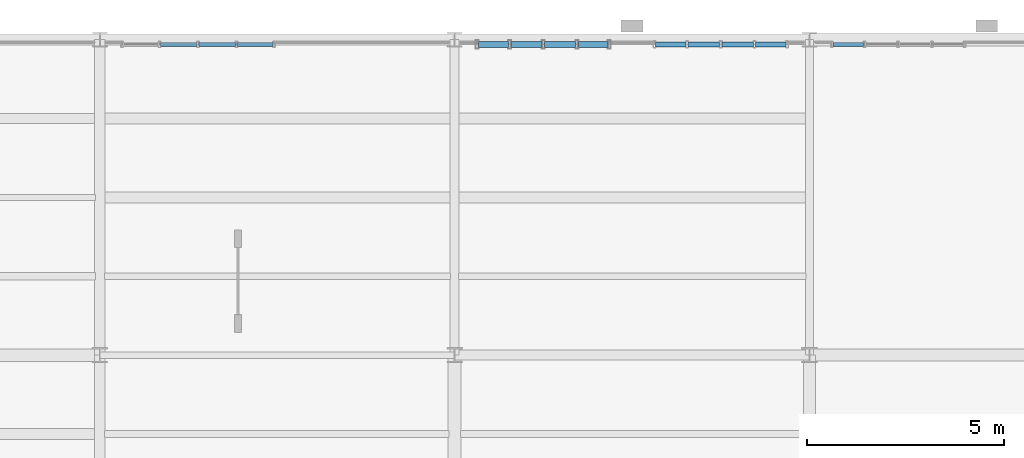
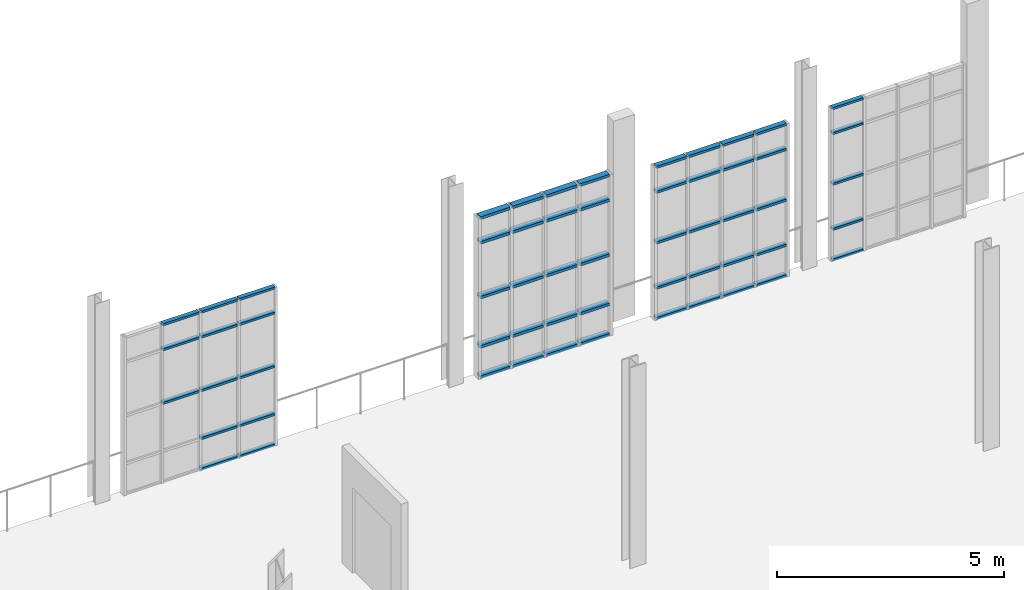
# One storey, part 97 of 142: 58 members, 4 elements without a shape of their own.
"""IFC4 building model written with IfcOpenShell, lengths in metres."""

from ifc_helpers import new_model, si_unit, direction, frame, origin, origin_2d, place, context, subcontext, project, spatial, hollow_rectangle, extrude, material, layer, layer_set, material_profile, profile_set, type_object, element, aggregate, save


model = new_model("IFC4")

# Units and contexts
model_context = context("Model", 3, precision=1e-05, world=origin(), true_north=direction((0.0, 1.0)))
body_context = subcontext(model_context, "Body", "Model", "MODEL_VIEW")
ifc_project = project(units=[si_unit("LENGTHUNIT", "METRE"), si_unit("AREAUNIT", "SQUARE_METRE"), si_unit("VOLUMEUNIT", "CUBIC_METRE"), si_unit("PLANEANGLEUNIT", "RADIAN"), si_unit("MASSUNIT", "GRAM", prefix="KILO"), si_unit("THERMODYNAMICTEMPERATUREUNIT", "KELVIN"), si_unit("POWERUNIT", "WATT")], contexts=[model_context])

# Site, building, storey
site_placement = place(None, origin())
site = spatial("IfcSite", under=ifc_project, at=site_placement, CompositionType="ELEMENT")
building_placement = place(site_placement, origin())
building = spatial("IfcBuilding", under=site, at=building_placement, Name="Zelmaris Science Centre", CompositionType="ELEMENT")
storey_placement = place(building_placement, frame((0.0, 0.0, 5.39990234375)))
storey = spatial("IfcBuildingStorey", under=building, at=storey_placement, Name="L01", CompositionType="ELEMENT", Elevation=5.39990234375)

# Curtain wall, members
ifc_material = material(Name="Anodised architectural aluminium 6063-T6", Category="aluminium")
ifc_layer_1 = layer(ifc_material, 0.219970703125, Name="Anodised architectural aluminium 6063-T6")
ifc_layer_set_1 = layer_set([ifc_layer_1], Name="Anodised architectural aluminium 6063-T6")
curtain_wall_type_1 = type_object("IfcCurtainWallType", Name="Curtain Wall CW-04", PredefinedType="USERDEFINED", material=ifc_layer_set_1)
curtain_wall_1_placement = place(storey_placement, origin())
curtain_wall_1 = element("IfcCurtainWall", 1, at=curtain_wall_1_placement, inside=storey, type_object=curtain_wall_type_1, Name="L01 Unitised curtain wall 136", ObjectType="GLAZED CURTAIN WALL", PredefinedType="USERDEFINED")
ifc_material_profile_1 = material_profile(ifc_material, hollow_rectangle(XDim=0.06005859375, YDim=0.110107421875, WallThickness=0.0029296875, at=origin_2d()), Name="ALU-TRN-60X110")
ifc_profile_set_1 = profile_set([ifc_material_profile_1], Name="Anodised architectural aluminium 6063-T6")
member_type_1 = type_object("IfcMemberType", Name="ALU-TRN-60X110", PredefinedType="USERDEFINED", material=ifc_profile_set_1)
member_1_placement = place(storey_placement, frame((82.541015625, 87.8798828125, 2.12451171875), z_axis=(1.0, 0.0, 0.0), x_axis=(0.0, 0.0, 1.0)))
member_1 = element("IfcMember", 2, at=member_1_placement, type_object=member_type_1, Name="CW-04 transom 2.3", ObjectType="TRANSOM", PredefinedType="USERDEFINED", context=body_context, shape_type="SweptSolid", body=[
    extrude(hollow_rectangle(XDim=0.06005859375, YDim=0.110107421875, WallThickness=0.0029296875, at=origin_2d()), origin(), (0.0, 0.0, 1.0), 0.923095703125),
])
member_2_placement = place(storey_placement, frame((82.541015625, 87.8798828125, 3.564208984375), z_axis=(1.0, 0.0, 0.0), x_axis=(0.0, 0.0, 1.0)))
member_2 = element("IfcMember", 3, at=member_2_placement, type_object=member_type_1, Name="CW-04 transom 2.4", ObjectType="TRANSOM", PredefinedType="USERDEFINED", context=body_context, shape_type="SweptSolid", body=[
    extrude(hollow_rectangle(XDim=0.06005859375, YDim=0.110107421875, WallThickness=0.0029296875, at=origin_2d()), origin(), (0.0, 0.0, 1.0), 0.923095703125),
])
member_3_placement = place(storey_placement, frame((82.541015625, 87.8798828125, 4.238037109375), z_axis=(1.0, 0.0, 0.0), x_axis=(0.0, 0.0, 1.0)))
member_3 = element("IfcMember", 4, at=member_3_placement, type_object=member_type_1, Name="CW-04 transom 2.5", ObjectType="TRANSOM", PredefinedType="USERDEFINED", context=body_context, shape_type="SweptSolid", body=[
    extrude(hollow_rectangle(XDim=0.06005859375, YDim=0.110107421875, WallThickness=0.0029296875, at=origin_2d()), origin(), (0.0, 0.0, 1.0), 0.923095703125),
])
member_4_placement = place(storey_placement, frame((83.51611328125, 87.8798828125, 0.010986328125), z_axis=(1.0, 0.0, 0.0), x_axis=(0.0, 0.0, 1.0)))
member_4 = element("IfcMember", 5, at=member_4_placement, type_object=member_type_1, Name="CW-04 transom 3.1", ObjectType="TRANSOM", PredefinedType="USERDEFINED", context=body_context, shape_type="SweptSolid", body=[
    extrude(hollow_rectangle(XDim=0.06005859375, YDim=0.110107421875, WallThickness=0.0029296875, at=origin_2d()), origin(), (0.0, 0.0, 1.0), 0.9228515625),
])
member_5_placement = place(storey_placement, frame((83.51611328125, 87.8798828125, 0.835205078125), z_axis=(1.0, 0.0, 0.0), x_axis=(0.0, 0.0, 1.0)))
member_5 = element("IfcMember", 6, at=member_5_placement, type_object=member_type_1, Name="CW-04 transom 3.2", ObjectType="TRANSOM", PredefinedType="USERDEFINED", context=body_context, shape_type="SweptSolid", body=[
    extrude(hollow_rectangle(XDim=0.06005859375, YDim=0.110107421875, WallThickness=0.0029296875, at=origin_2d()), origin(), (0.0, 0.0, 1.0), 0.9228515625),
])
member_6_placement = place(storey_placement, frame((83.51611328125, 87.8798828125, 2.12451171875), z_axis=(1.0, 0.0, 0.0), x_axis=(0.0, 0.0, 1.0)))
member_6 = element("IfcMember", 7, at=member_6_placement, type_object=member_type_1, Name="CW-04 transom 3.3", ObjectType="TRANSOM", PredefinedType="USERDEFINED", context=body_context, shape_type="SweptSolid", body=[
    extrude(hollow_rectangle(XDim=0.06005859375, YDim=0.110107421875, WallThickness=0.0029296875, at=origin_2d()), origin(), (0.0, 0.0, 1.0), 0.9228515625),
])
member_7_placement = place(storey_placement, frame((83.51611328125, 87.8798828125, 3.564208984375), z_axis=(1.0, 0.0, 0.0), x_axis=(0.0, 0.0, 1.0)))
member_7 = element("IfcMember", 8, at=member_7_placement, type_object=member_type_1, Name="CW-04 transom 3.4", ObjectType="TRANSOM", PredefinedType="USERDEFINED", context=body_context, shape_type="SweptSolid", body=[
    extrude(hollow_rectangle(XDim=0.06005859375, YDim=0.110107421875, WallThickness=0.0029296875, at=origin_2d()), origin(), (0.0, 0.0, 1.0), 0.9228515625),
])
member_8_placement = place(storey_placement, frame((83.51611328125, 87.8798828125, 4.238037109375), z_axis=(1.0, 0.0, 0.0), x_axis=(0.0, 0.0, 1.0)))
member_8 = element("IfcMember", 9, at=member_8_placement, type_object=member_type_1, Name="CW-04 transom 3.5", ObjectType="TRANSOM", PredefinedType="USERDEFINED", context=body_context, shape_type="SweptSolid", body=[
    extrude(hollow_rectangle(XDim=0.06005859375, YDim=0.110107421875, WallThickness=0.0029296875, at=origin_2d()), origin(), (0.0, 0.0, 1.0), 0.9228515625),
])
member_9_placement = place(storey_placement, frame((84.490966796875, 87.8798828125, 0.010986328125), z_axis=(1.0, 0.0, 0.0), x_axis=(0.0, 0.0, 1.0)))
member_9 = element("IfcMember", 10, at=member_9_placement, type_object=member_type_1, Name="CW-04 transom 4.1", ObjectType="TRANSOM", PredefinedType="USERDEFINED", context=body_context, shape_type="SweptSolid", body=[
    extrude(hollow_rectangle(XDim=0.06005859375, YDim=0.110107421875, WallThickness=0.0029296875, at=origin_2d()), origin(), (0.0, 0.0, 1.0), 0.89697265625),
])
member_10_placement = place(storey_placement, frame((84.490966796875, 87.8798828125, 0.835205078125), z_axis=(1.0, 0.0, 0.0), x_axis=(0.0, 0.0, 1.0)))
member_10 = element("IfcMember", 11, at=member_10_placement, type_object=member_type_1, Name="CW-04 transom 4.2", ObjectType="TRANSOM", PredefinedType="USERDEFINED", context=body_context, shape_type="SweptSolid", body=[
    extrude(hollow_rectangle(XDim=0.06005859375, YDim=0.110107421875, WallThickness=0.0029296875, at=origin_2d()), origin(), (0.0, 0.0, 1.0), 0.89697265625),
])
member_11_placement = place(storey_placement, frame((84.490966796875, 87.8798828125, 2.12451171875), z_axis=(1.0, 0.0, 0.0), x_axis=(0.0, 0.0, 1.0)))
member_11 = element("IfcMember", 12, at=member_11_placement, type_object=member_type_1, Name="CW-04 transom 4.3", ObjectType="TRANSOM", PredefinedType="USERDEFINED", context=body_context, shape_type="SweptSolid", body=[
    extrude(hollow_rectangle(XDim=0.06005859375, YDim=0.110107421875, WallThickness=0.0029296875, at=origin_2d()), origin(), (0.0, 0.0, 1.0), 0.89697265625),
])
member_12_placement = place(storey_placement, frame((84.490966796875, 87.8798828125, 3.564208984375), z_axis=(1.0, 0.0, 0.0), x_axis=(0.0, 0.0, 1.0)))
member_12 = element("IfcMember", 13, at=member_12_placement, type_object=member_type_1, Name="CW-04 transom 4.4", ObjectType="TRANSOM", PredefinedType="USERDEFINED", context=body_context, shape_type="SweptSolid", body=[
    extrude(hollow_rectangle(XDim=0.06005859375, YDim=0.110107421875, WallThickness=0.0029296875, at=origin_2d()), origin(), (0.0, 0.0, 1.0), 0.89697265625),
])
member_13_placement = place(storey_placement, frame((84.490966796875, 87.8798828125, 4.238037109375), z_axis=(1.0, 0.0, 0.0), x_axis=(0.0, 0.0, 1.0)))
member_13 = element("IfcMember", 14, at=member_13_placement, type_object=member_type_1, Name="CW-04 transom 4.5", ObjectType="TRANSOM", PredefinedType="USERDEFINED", context=body_context, shape_type="SweptSolid", body=[
    extrude(hollow_rectangle(XDim=0.06005859375, YDim=0.110107421875, WallThickness=0.0029296875, at=origin_2d()), origin(), (0.0, 0.0, 1.0), 0.89697265625),
])
aggregate(curtain_wall_1, [member_1, member_2, member_3, member_4, member_5, member_6, member_7, member_8, member_9, member_10, member_11, member_12, member_13])

curtain_wall_2_placement = place(storey_placement, origin())
curtain_wall_2 = element("IfcCurtainWall", 15, at=curtain_wall_2_placement, inside=storey, type_object=curtain_wall_type_1, Name="L01 Unitised curtain wall 140", ObjectType="GLAZED CURTAIN WALL", PredefinedType="USERDEFINED")
member_14_placement = place(storey_placement, frame((99.592041015625, 87.8798828125, 0.010986328125), z_axis=(1.0, 0.0, 0.0), x_axis=(0.0, 0.0, 1.0)))
member_14 = element("IfcMember", 16, at=member_14_placement, type_object=member_type_1, Name="CW-04 transom 1.1", ObjectType="TRANSOM", PredefinedType="USERDEFINED", context=body_context, shape_type="SweptSolid", body=[
    extrude(hollow_rectangle(XDim=0.06005859375, YDim=0.110107421875, WallThickness=0.0029296875, at=origin_2d()), origin(), (0.0, 0.0, 1.0), 0.77685546875),
])
member_15_placement = place(storey_placement, frame((99.592041015625, 87.8798828125, 0.835205078125), z_axis=(1.0, 0.0, 0.0), x_axis=(0.0, 0.0, 1.0)))
member_15 = element("IfcMember", 17, at=member_15_placement, type_object=member_type_1, Name="CW-04 transom 1.2", ObjectType="TRANSOM", PredefinedType="USERDEFINED", context=body_context, shape_type="SweptSolid", body=[
    extrude(hollow_rectangle(XDim=0.06005859375, YDim=0.110107421875, WallThickness=0.0029296875, at=origin_2d()), origin(), (0.0, 0.0, 1.0), 0.77685546875),
])
member_16_placement = place(storey_placement, frame((99.592041015625, 87.8798828125, 2.049560546875), z_axis=(1.0, 0.0, 0.0), x_axis=(0.0, 0.0, 1.0)))
member_16 = element("IfcMember", 18, at=member_16_placement, type_object=member_type_1, Name="CW-04 transom 1.3", ObjectType="TRANSOM", PredefinedType="USERDEFINED", context=body_context, shape_type="SweptSolid", body=[
    extrude(hollow_rectangle(XDim=0.06005859375, YDim=0.110107421875, WallThickness=0.0029296875, at=origin_2d()), origin(), (0.0, 0.0, 1.0), 0.77685546875),
])
member_17_placement = place(storey_placement, frame((99.592041015625, 87.8798828125, 3.4140625), z_axis=(1.0, 0.0, 0.0), x_axis=(0.0, 0.0, 1.0)))
member_17 = element("IfcMember", 19, at=member_17_placement, type_object=member_type_1, Name="CW-04 transom 1.4", ObjectType="TRANSOM", PredefinedType="USERDEFINED", context=body_context, shape_type="SweptSolid", body=[
    extrude(hollow_rectangle(XDim=0.06005859375, YDim=0.110107421875, WallThickness=0.0029296875, at=origin_2d()), origin(), (0.0, 0.0, 1.0), 0.77685546875),
])
member_18_placement = place(storey_placement, frame((99.592041015625, 87.8798828125, 4.088134765625), z_axis=(1.0, 0.0, 0.0), x_axis=(0.0, 0.0, 1.0)))
member_18 = element("IfcMember", 20, at=member_18_placement, type_object=member_type_1, Name="CW-04 transom 1.5", ObjectType="TRANSOM", PredefinedType="USERDEFINED", context=body_context, shape_type="SweptSolid", body=[
    extrude(hollow_rectangle(XDim=0.06005859375, YDim=0.110107421875, WallThickness=0.0029296875, at=origin_2d()), origin(), (0.0, 0.0, 1.0), 0.77685546875),
])
aggregate(curtain_wall_2, [member_14, member_15, member_16, member_17, member_18])

ifc_layer_2 = layer(ifc_material, 0.2099609375, Name="Anodised architectural aluminium 6063-T6")
ifc_layer_set_2 = layer_set([ifc_layer_2], Name="Anodised architectural aluminium 6063-T6")
curtain_wall_type_2 = type_object("IfcCurtainWallType", Name="Curtain Wall CW-03", PredefinedType="USERDEFINED", material=ifc_layer_set_2)
curtain_wall_3_placement = place(storey_placement, origin())
curtain_wall_3 = element("IfcCurtainWall", 21, at=curtain_wall_3_placement, inside=storey, type_object=curtain_wall_type_2, Name="L01 Unitised curtain wall 139", ObjectType="GLAZED CURTAIN WALL", PredefinedType="USERDEFINED")
ifc_material_profile_2 = material_profile(ifc_material, hollow_rectangle(XDim=0.06494140625, YDim=0.1298828125, WallThickness=0.00341796875, at=origin_2d()), Name="ALU-TRN-65X130")
ifc_profile_set_2 = profile_set([ifc_material_profile_2], Name="Anodised architectural aluminium 6063-T6")
member_type_2 = type_object("IfcMemberType", Name="ALU-TRN-65X130", PredefinedType="USERDEFINED", material=ifc_profile_set_2)
member_19_placement = place(storey_placement, frame((95.096923828125, 87.8798828125, 0.013671875), z_axis=(1.0, 0.0, 0.0), x_axis=(0.0, 0.0, 1.0)))
member_19 = element("IfcMember", 22, at=member_19_placement, type_object=member_type_2, Name="CW-03 transom 1.1", ObjectType="TRANSOM", PredefinedType="USERDEFINED", context=body_context, shape_type="SweptSolid", body=[
    extrude(hollow_rectangle(XDim=0.06494140625, YDim=0.1298828125, WallThickness=0.00341796875, at=origin_2d()), origin(), (0.0, 0.0, 1.0), 0.76953125),
])
member_20_placement = place(storey_placement, frame((95.096923828125, 87.8798828125, 0.835205078125), z_axis=(1.0, 0.0, 0.0), x_axis=(0.0, 0.0, 1.0)))
member_20 = element("IfcMember", 23, at=member_20_placement, type_object=member_type_2, Name="CW-03 transom 1.2", ObjectType="TRANSOM", PredefinedType="USERDEFINED", context=body_context, shape_type="SweptSolid", body=[
    extrude(hollow_rectangle(XDim=0.06494140625, YDim=0.1298828125, WallThickness=0.00341796875, at=origin_2d()), origin(), (0.0, 0.0, 1.0), 0.76953125),
])
member_21_placement = place(storey_placement, frame((95.096923828125, 87.8798828125, 2.049560546875), z_axis=(1.0, 0.0, 0.0), x_axis=(0.0, 0.0, 1.0)))
member_21 = element("IfcMember", 24, at=member_21_placement, type_object=member_type_2, Name="CW-03 transom 1.3", ObjectType="TRANSOM", PredefinedType="USERDEFINED", context=body_context, shape_type="SweptSolid", body=[
    extrude(hollow_rectangle(XDim=0.06494140625, YDim=0.1298828125, WallThickness=0.00341796875, at=origin_2d()), origin(), (0.0, 0.0, 1.0), 0.76953125),
])
member_22_placement = place(storey_placement, frame((95.096923828125, 87.8798828125, 3.4140625), z_axis=(1.0, 0.0, 0.0), x_axis=(0.0, 0.0, 1.0)))
member_22 = element("IfcMember", 25, at=member_22_placement, type_object=member_type_2, Name="CW-03 transom 1.4", ObjectType="TRANSOM", PredefinedType="USERDEFINED", context=body_context, shape_type="SweptSolid", body=[
    extrude(hollow_rectangle(XDim=0.06494140625, YDim=0.1298828125, WallThickness=0.00341796875, at=origin_2d()), origin(), (0.0, 0.0, 1.0), 0.76953125),
])
member_23_placement = place(storey_placement, frame((95.096923828125, 87.8798828125, 4.085693359375), z_axis=(1.0, 0.0, 0.0), x_axis=(0.0, 0.0, 1.0)))
member_23 = element("IfcMember", 26, at=member_23_placement, type_object=member_type_2, Name="CW-03 transom 1.5", ObjectType="TRANSOM", PredefinedType="USERDEFINED", context=body_context, shape_type="SweptSolid", body=[
    extrude(hollow_rectangle(XDim=0.06494140625, YDim=0.1298828125, WallThickness=0.00341796875, at=origin_2d()), origin(), (0.0, 0.0, 1.0), 0.76953125),
])
member_24_placement = place(storey_placement, frame((95.923583984375, 87.8798828125, 0.013671875), z_axis=(1.0, 0.0, 0.0), x_axis=(0.0, 0.0, 1.0)))
member_24 = element("IfcMember", 27, at=member_24_placement, type_object=member_type_2, Name="CW-03 transom 2.1", ObjectType="TRANSOM", PredefinedType="USERDEFINED", context=body_context, shape_type="SweptSolid", body=[
    extrude(hollow_rectangle(XDim=0.06494140625, YDim=0.1298828125, WallThickness=0.00341796875, at=origin_2d()), origin(), (0.0, 0.0, 1.0), 0.7978515625),
])
member_25_placement = place(storey_placement, frame((95.923583984375, 87.8798828125, 0.835205078125), z_axis=(1.0, 0.0, 0.0), x_axis=(0.0, 0.0, 1.0)))
member_25 = element("IfcMember", 28, at=member_25_placement, type_object=member_type_2, Name="CW-03 transom 2.2", ObjectType="TRANSOM", PredefinedType="USERDEFINED", context=body_context, shape_type="SweptSolid", body=[
    extrude(hollow_rectangle(XDim=0.06494140625, YDim=0.1298828125, WallThickness=0.00341796875, at=origin_2d()), origin(), (0.0, 0.0, 1.0), 0.7978515625),
])
member_26_placement = place(storey_placement, frame((95.923583984375, 87.8798828125, 2.049560546875), z_axis=(1.0, 0.0, 0.0), x_axis=(0.0, 0.0, 1.0)))
member_26 = element("IfcMember", 29, at=member_26_placement, type_object=member_type_2, Name="CW-03 transom 2.3", ObjectType="TRANSOM", PredefinedType="USERDEFINED", context=body_context, shape_type="SweptSolid", body=[
    extrude(hollow_rectangle(XDim=0.06494140625, YDim=0.1298828125, WallThickness=0.00341796875, at=origin_2d()), origin(), (0.0, 0.0, 1.0), 0.7978515625),
])
member_27_placement = place(storey_placement, frame((95.923583984375, 87.8798828125, 3.4140625), z_axis=(1.0, 0.0, 0.0), x_axis=(0.0, 0.0, 1.0)))
member_27 = element("IfcMember", 30, at=member_27_placement, type_object=member_type_2, Name="CW-03 transom 2.4", ObjectType="TRANSOM", PredefinedType="USERDEFINED", context=body_context, shape_type="SweptSolid", body=[
    extrude(hollow_rectangle(XDim=0.06494140625, YDim=0.1298828125, WallThickness=0.00341796875, at=origin_2d()), origin(), (0.0, 0.0, 1.0), 0.7978515625),
])
member_28_placement = place(storey_placement, frame((95.923583984375, 87.8798828125, 4.085693359375), z_axis=(1.0, 0.0, 0.0), x_axis=(0.0, 0.0, 1.0)))
member_28 = element("IfcMember", 31, at=member_28_placement, type_object=member_type_2, Name="CW-03 transom 2.5", ObjectType="TRANSOM", PredefinedType="USERDEFINED", context=body_context, shape_type="SweptSolid", body=[
    extrude(hollow_rectangle(XDim=0.06494140625, YDim=0.1298828125, WallThickness=0.00341796875, at=origin_2d()), origin(), (0.0, 0.0, 1.0), 0.7978515625),
])
member_29_placement = place(storey_placement, frame((96.778564453125, 87.8798828125, 0.013671875), z_axis=(1.0, 0.0, 0.0), x_axis=(0.0, 0.0, 1.0)))
member_29 = element("IfcMember", 32, at=member_29_placement, type_object=member_type_2, Name="CW-03 transom 3.1", ObjectType="TRANSOM", PredefinedType="USERDEFINED", context=body_context, shape_type="SweptSolid", body=[
    extrude(hollow_rectangle(XDim=0.06494140625, YDim=0.1298828125, WallThickness=0.00341796875, at=origin_2d()), origin(), (0.0, 0.0, 1.0), 0.7978515625),
])
member_30_placement = place(storey_placement, frame((96.778564453125, 87.8798828125, 0.835205078125), z_axis=(1.0, 0.0, 0.0), x_axis=(0.0, 0.0, 1.0)))
member_30 = element("IfcMember", 33, at=member_30_placement, type_object=member_type_2, Name="CW-03 transom 3.2", ObjectType="TRANSOM", PredefinedType="USERDEFINED", context=body_context, shape_type="SweptSolid", body=[
    extrude(hollow_rectangle(XDim=0.06494140625, YDim=0.1298828125, WallThickness=0.00341796875, at=origin_2d()), origin(), (0.0, 0.0, 1.0), 0.7978515625),
])
member_31_placement = place(storey_placement, frame((96.778564453125, 87.8798828125, 2.049560546875), z_axis=(1.0, 0.0, 0.0), x_axis=(0.0, 0.0, 1.0)))
member_31 = element("IfcMember", 34, at=member_31_placement, type_object=member_type_2, Name="CW-03 transom 3.3", ObjectType="TRANSOM", PredefinedType="USERDEFINED", context=body_context, shape_type="SweptSolid", body=[
    extrude(hollow_rectangle(XDim=0.06494140625, YDim=0.1298828125, WallThickness=0.00341796875, at=origin_2d()), origin(), (0.0, 0.0, 1.0), 0.7978515625),
])
member_32_placement = place(storey_placement, frame((96.778564453125, 87.8798828125, 3.4140625), z_axis=(1.0, 0.0, 0.0), x_axis=(0.0, 0.0, 1.0)))
member_32 = element("IfcMember", 35, at=member_32_placement, type_object=member_type_2, Name="CW-03 transom 3.4", ObjectType="TRANSOM", PredefinedType="USERDEFINED", context=body_context, shape_type="SweptSolid", body=[
    extrude(hollow_rectangle(XDim=0.06494140625, YDim=0.1298828125, WallThickness=0.00341796875, at=origin_2d()), origin(), (0.0, 0.0, 1.0), 0.7978515625),
])
member_33_placement = place(storey_placement, frame((96.778564453125, 87.8798828125, 4.085693359375), z_axis=(1.0, 0.0, 0.0), x_axis=(0.0, 0.0, 1.0)))
member_33 = element("IfcMember", 36, at=member_33_placement, type_object=member_type_2, Name="CW-03 transom 3.5", ObjectType="TRANSOM", PredefinedType="USERDEFINED", context=body_context, shape_type="SweptSolid", body=[
    extrude(hollow_rectangle(XDim=0.06494140625, YDim=0.1298828125, WallThickness=0.00341796875, at=origin_2d()), origin(), (0.0, 0.0, 1.0), 0.7978515625),
])
member_34_placement = place(storey_placement, frame((97.633544921875, 87.8798828125, 0.013671875), z_axis=(1.0, 0.0, 0.0), x_axis=(0.0, 0.0, 1.0)))
member_34 = element("IfcMember", 37, at=member_34_placement, type_object=member_type_2, Name="CW-03 transom 4.1", ObjectType="TRANSOM", PredefinedType="USERDEFINED", context=body_context, shape_type="SweptSolid", body=[
    extrude(hollow_rectangle(XDim=0.06494140625, YDim=0.1298828125, WallThickness=0.00341796875, at=origin_2d()), origin(), (0.0, 0.0, 1.0), 0.76953125),
])
member_35_placement = place(storey_placement, frame((97.633544921875, 87.8798828125, 0.835205078125), z_axis=(1.0, 0.0, 0.0), x_axis=(0.0, 0.0, 1.0)))
member_35 = element("IfcMember", 38, at=member_35_placement, type_object=member_type_2, Name="CW-03 transom 4.2", ObjectType="TRANSOM", PredefinedType="USERDEFINED", context=body_context, shape_type="SweptSolid", body=[
    extrude(hollow_rectangle(XDim=0.06494140625, YDim=0.1298828125, WallThickness=0.00341796875, at=origin_2d()), origin(), (0.0, 0.0, 1.0), 0.76953125),
])
member_36_placement = place(storey_placement, frame((97.633544921875, 87.8798828125, 2.049560546875), z_axis=(1.0, 0.0, 0.0), x_axis=(0.0, 0.0, 1.0)))
member_36 = element("IfcMember", 39, at=member_36_placement, type_object=member_type_2, Name="CW-03 transom 4.3", ObjectType="TRANSOM", PredefinedType="USERDEFINED", context=body_context, shape_type="SweptSolid", body=[
    extrude(hollow_rectangle(XDim=0.06494140625, YDim=0.1298828125, WallThickness=0.00341796875, at=origin_2d()), origin(), (0.0, 0.0, 1.0), 0.76953125),
])
member_37_placement = place(storey_placement, frame((97.633544921875, 87.8798828125, 3.4140625), z_axis=(1.0, 0.0, 0.0), x_axis=(0.0, 0.0, 1.0)))
member_37 = element("IfcMember", 40, at=member_37_placement, type_object=member_type_2, Name="CW-03 transom 4.4", ObjectType="TRANSOM", PredefinedType="USERDEFINED", context=body_context, shape_type="SweptSolid", body=[
    extrude(hollow_rectangle(XDim=0.06494140625, YDim=0.1298828125, WallThickness=0.00341796875, at=origin_2d()), origin(), (0.0, 0.0, 1.0), 0.76953125),
])
member_38_placement = place(storey_placement, frame((97.633544921875, 87.8798828125, 4.085693359375), z_axis=(1.0, 0.0, 0.0), x_axis=(0.0, 0.0, 1.0)))
member_38 = element("IfcMember", 41, at=member_38_placement, type_object=member_type_2, Name="CW-03 transom 4.5", ObjectType="TRANSOM", PredefinedType="USERDEFINED", context=body_context, shape_type="SweptSolid", body=[
    extrude(hollow_rectangle(XDim=0.06494140625, YDim=0.1298828125, WallThickness=0.00341796875, at=origin_2d()), origin(), (0.0, 0.0, 1.0), 0.76953125),
])
aggregate(curtain_wall_3, [member_19, member_20, member_21, member_22, member_23, member_24, member_25, member_26, member_27, member_28, member_29, member_30, member_31, member_32, member_33, member_34, member_35, member_36, member_37, member_38])

ifc_layer_3 = layer(ifc_material, 0.199951171875, Name="Anodised architectural aluminium 6063-T6")
ifc_layer_set_3 = layer_set([ifc_layer_3], Name="Anodised architectural aluminium 6063-T6")
curtain_wall_type_3 = type_object("IfcCurtainWallType", Name="Curtain Wall CW-02", PredefinedType="USERDEFINED", material=ifc_layer_set_3)
curtain_wall_4_placement = place(storey_placement, origin())
curtain_wall_4 = element("IfcCurtainWall", 42, at=curtain_wall_4_placement, inside=storey, type_object=curtain_wall_type_3, Name="L01 Unitised curtain wall 138", ObjectType="GLAZED CURTAIN WALL", PredefinedType="USERDEFINED")
ifc_material_profile_3 = material_profile(ifc_material, hollow_rectangle(XDim=0.074951171875, YDim=0.159912109375, WallThickness=0.00390625, at=origin_2d()), Name="ALU-TRN-75X160")
ifc_profile_set_3 = profile_set([ifc_material_profile_3], Name="Anodised architectural aluminium 6063-T6")
member_type_3 = type_object("IfcMemberType", Name="ALU-TRN-75X160", PredefinedType="USERDEFINED", material=ifc_profile_set_3)
member_39_placement = place(storey_placement, frame((90.60693359375, 87.8798828125, 0.0185546875), z_axis=(1.0, 0.0, 0.0), x_axis=(0.0, 0.0, 1.0)))
member_39 = element("IfcMember", 43, at=member_39_placement, type_object=member_type_3, Name="CW-02 transom 1.1", ObjectType="TRANSOM", PredefinedType="USERDEFINED", context=body_context, shape_type="SweptSolid", body=[
    extrude(hollow_rectangle(XDim=0.074951171875, YDim=0.159912109375, WallThickness=0.00390625, at=origin_2d()), origin(), (0.0, 0.0, 1.0), 0.754638671875),
])
member_40_placement = place(storey_placement, frame((90.60693359375, 87.8798828125, 0.835205078125), z_axis=(1.0, 0.0, 0.0), x_axis=(0.0, 0.0, 1.0)))
member_40 = element("IfcMember", 44, at=member_40_placement, type_object=member_type_3, Name="CW-02 transom 1.2", ObjectType="TRANSOM", PredefinedType="USERDEFINED", context=body_context, shape_type="SweptSolid", body=[
    extrude(hollow_rectangle(XDim=0.074951171875, YDim=0.159912109375, WallThickness=0.00390625, at=origin_2d()), origin(), (0.0, 0.0, 1.0), 0.754638671875),
])
member_41_placement = place(storey_placement, frame((90.60693359375, 87.8798828125, 2.16015625), z_axis=(1.0, 0.0, 0.0), x_axis=(0.0, 0.0, 1.0)))
member_41 = element("IfcMember", 45, at=member_41_placement, type_object=member_type_3, Name="CW-02 transom 1.3", ObjectType="TRANSOM", PredefinedType="USERDEFINED", context=body_context, shape_type="SweptSolid", body=[
    extrude(hollow_rectangle(XDim=0.074951171875, YDim=0.159912109375, WallThickness=0.00390625, at=origin_2d()), origin(), (0.0, 0.0, 1.0), 0.754638671875),
])
member_42_placement = place(storey_placement, frame((90.60693359375, 87.8798828125, 3.635009765625), z_axis=(1.0, 0.0, 0.0), x_axis=(0.0, 0.0, 1.0)))
member_42 = element("IfcMember", 46, at=member_42_placement, type_object=member_type_3, Name="CW-02 transom 1.4", ObjectType="TRANSOM", PredefinedType="USERDEFINED", context=body_context, shape_type="SweptSolid", body=[
    extrude(hollow_rectangle(XDim=0.074951171875, YDim=0.159912109375, WallThickness=0.00390625, at=origin_2d()), origin(), (0.0, 0.0, 1.0), 0.754638671875),
])
member_43_placement = place(storey_placement, frame((90.60693359375, 87.8798828125, 4.301513671875), z_axis=(1.0, 0.0, 0.0), x_axis=(0.0, 0.0, 1.0)))
member_43 = element("IfcMember", 47, at=member_43_placement, type_object=member_type_3, Name="CW-02 transom 1.5", ObjectType="TRANSOM", PredefinedType="USERDEFINED", context=body_context, shape_type="SweptSolid", body=[
    extrude(hollow_rectangle(XDim=0.074951171875, YDim=0.159912109375, WallThickness=0.00390625, at=origin_2d()), origin(), (0.0, 0.0, 1.0), 0.754638671875),
])
member_44_placement = place(storey_placement, frame((91.428466796875, 87.8798828125, 0.0185546875), z_axis=(1.0, 0.0, 0.0), x_axis=(0.0, 0.0, 1.0)))
member_44 = element("IfcMember", 48, at=member_44_placement, type_object=member_type_3, Name="CW-02 transom 2.1", ObjectType="TRANSOM", PredefinedType="USERDEFINED", context=body_context, shape_type="SweptSolid", body=[
    extrude(hollow_rectangle(XDim=0.074951171875, YDim=0.159912109375, WallThickness=0.00390625, at=origin_2d()), origin(), (0.0, 0.0, 1.0), 0.7880859375),
])
member_45_placement = place(storey_placement, frame((91.428466796875, 87.8798828125, 0.835205078125), z_axis=(1.0, 0.0, 0.0), x_axis=(0.0, 0.0, 1.0)))
member_45 = element("IfcMember", 49, at=member_45_placement, type_object=member_type_3, Name="CW-02 transom 2.2", ObjectType="TRANSOM", PredefinedType="USERDEFINED", context=body_context, shape_type="SweptSolid", body=[
    extrude(hollow_rectangle(XDim=0.074951171875, YDim=0.159912109375, WallThickness=0.00390625, at=origin_2d()), origin(), (0.0, 0.0, 1.0), 0.7880859375),
])
member_46_placement = place(storey_placement, frame((91.428466796875, 87.8798828125, 2.16015625), z_axis=(1.0, 0.0, 0.0), x_axis=(0.0, 0.0, 1.0)))
member_46 = element("IfcMember", 50, at=member_46_placement, type_object=member_type_3, Name="CW-02 transom 2.3", ObjectType="TRANSOM", PredefinedType="USERDEFINED", context=body_context, shape_type="SweptSolid", body=[
    extrude(hollow_rectangle(XDim=0.074951171875, YDim=0.159912109375, WallThickness=0.00390625, at=origin_2d()), origin(), (0.0, 0.0, 1.0), 0.7880859375),
])
member_47_placement = place(storey_placement, frame((91.428466796875, 87.8798828125, 3.635009765625), z_axis=(1.0, 0.0, 0.0), x_axis=(0.0, 0.0, 1.0)))
member_47 = element("IfcMember", 51, at=member_47_placement, type_object=member_type_3, Name="CW-02 transom 2.4", ObjectType="TRANSOM", PredefinedType="USERDEFINED", context=body_context, shape_type="SweptSolid", body=[
    extrude(hollow_rectangle(XDim=0.074951171875, YDim=0.159912109375, WallThickness=0.00390625, at=origin_2d()), origin(), (0.0, 0.0, 1.0), 0.7880859375),
])
member_48_placement = place(storey_placement, frame((91.428466796875, 87.8798828125, 4.301513671875), z_axis=(1.0, 0.0, 0.0), x_axis=(0.0, 0.0, 1.0)))
member_48 = element("IfcMember", 52, at=member_48_placement, type_object=member_type_3, Name="CW-02 transom 2.5", ObjectType="TRANSOM", PredefinedType="USERDEFINED", context=body_context, shape_type="SweptSolid", body=[
    extrude(hollow_rectangle(XDim=0.074951171875, YDim=0.159912109375, WallThickness=0.00390625, at=origin_2d()), origin(), (0.0, 0.0, 1.0), 0.7880859375),
])
member_49_placement = place(storey_placement, frame((92.283447265625, 87.8798828125, 0.0185546875), z_axis=(1.0, 0.0, 0.0), x_axis=(0.0, 0.0, 1.0)))
member_49 = element("IfcMember", 53, at=member_49_placement, type_object=member_type_3, Name="CW-02 transom 3.1", ObjectType="TRANSOM", PredefinedType="USERDEFINED", context=body_context, shape_type="SweptSolid", body=[
    extrude(hollow_rectangle(XDim=0.074951171875, YDim=0.159912109375, WallThickness=0.00390625, at=origin_2d()), origin(), (0.0, 0.0, 1.0), 0.7880859375),
])
member_50_placement = place(storey_placement, frame((92.283447265625, 87.8798828125, 0.835205078125), z_axis=(1.0, 0.0, 0.0), x_axis=(0.0, 0.0, 1.0)))
member_50 = element("IfcMember", 54, at=member_50_placement, type_object=member_type_3, Name="CW-02 transom 3.2", ObjectType="TRANSOM", PredefinedType="USERDEFINED", context=body_context, shape_type="SweptSolid", body=[
    extrude(hollow_rectangle(XDim=0.074951171875, YDim=0.159912109375, WallThickness=0.00390625, at=origin_2d()), origin(), (0.0, 0.0, 1.0), 0.7880859375),
])
member_51_placement = place(storey_placement, frame((92.283447265625, 87.8798828125, 2.16015625), z_axis=(1.0, 0.0, 0.0), x_axis=(0.0, 0.0, 1.0)))
member_51 = element("IfcMember", 55, at=member_51_placement, type_object=member_type_3, Name="CW-02 transom 3.3", ObjectType="TRANSOM", PredefinedType="USERDEFINED", context=body_context, shape_type="SweptSolid", body=[
    extrude(hollow_rectangle(XDim=0.074951171875, YDim=0.159912109375, WallThickness=0.00390625, at=origin_2d()), origin(), (0.0, 0.0, 1.0), 0.7880859375),
])
member_52_placement = place(storey_placement, frame((92.283447265625, 87.8798828125, 3.635009765625), z_axis=(1.0, 0.0, 0.0), x_axis=(0.0, 0.0, 1.0)))
member_52 = element("IfcMember", 56, at=member_52_placement, type_object=member_type_3, Name="CW-02 transom 3.4", ObjectType="TRANSOM", PredefinedType="USERDEFINED", context=body_context, shape_type="SweptSolid", body=[
    extrude(hollow_rectangle(XDim=0.074951171875, YDim=0.159912109375, WallThickness=0.00390625, at=origin_2d()), origin(), (0.0, 0.0, 1.0), 0.7880859375),
])
member_53_placement = place(storey_placement, frame((92.283447265625, 87.8798828125, 4.301513671875), z_axis=(1.0, 0.0, 0.0), x_axis=(0.0, 0.0, 1.0)))
member_53 = element("IfcMember", 57, at=member_53_placement, type_object=member_type_3, Name="CW-02 transom 3.5", ObjectType="TRANSOM", PredefinedType="USERDEFINED", context=body_context, shape_type="SweptSolid", body=[
    extrude(hollow_rectangle(XDim=0.074951171875, YDim=0.159912109375, WallThickness=0.00390625, at=origin_2d()), origin(), (0.0, 0.0, 1.0), 0.7880859375),
])
member_54_placement = place(storey_placement, frame((93.138427734375, 87.8798828125, 0.0185546875), z_axis=(1.0, 0.0, 0.0), x_axis=(0.0, 0.0, 1.0)))
member_54 = element("IfcMember", 58, at=member_54_placement, type_object=member_type_3, Name="CW-02 transom 4.1", ObjectType="TRANSOM", PredefinedType="USERDEFINED", context=body_context, shape_type="SweptSolid", body=[
    extrude(hollow_rectangle(XDim=0.074951171875, YDim=0.159912109375, WallThickness=0.00390625, at=origin_2d()), origin(), (0.0, 0.0, 1.0), 0.754638671875),
])
member_55_placement = place(storey_placement, frame((93.138427734375, 87.8798828125, 0.835205078125), z_axis=(1.0, 0.0, 0.0), x_axis=(0.0, 0.0, 1.0)))
member_55 = element("IfcMember", 59, at=member_55_placement, type_object=member_type_3, Name="CW-02 transom 4.2", ObjectType="TRANSOM", PredefinedType="USERDEFINED", context=body_context, shape_type="SweptSolid", body=[
    extrude(hollow_rectangle(XDim=0.074951171875, YDim=0.159912109375, WallThickness=0.00390625, at=origin_2d()), origin(), (0.0, 0.0, 1.0), 0.754638671875),
])
member_56_placement = place(storey_placement, frame((93.138427734375, 87.8798828125, 2.16015625), z_axis=(1.0, 0.0, 0.0), x_axis=(0.0, 0.0, 1.0)))
member_56 = element("IfcMember", 60, at=member_56_placement, type_object=member_type_3, Name="CW-02 transom 4.3", ObjectType="TRANSOM", PredefinedType="USERDEFINED", context=body_context, shape_type="SweptSolid", body=[
    extrude(hollow_rectangle(XDim=0.074951171875, YDim=0.159912109375, WallThickness=0.00390625, at=origin_2d()), origin(), (0.0, 0.0, 1.0), 0.754638671875),
])
member_57_placement = place(storey_placement, frame((93.138427734375, 87.8798828125, 3.635009765625), z_axis=(1.0, 0.0, 0.0), x_axis=(0.0, 0.0, 1.0)))
member_57 = element("IfcMember", 61, at=member_57_placement, type_object=member_type_3, Name="CW-02 transom 4.4", ObjectType="TRANSOM", PredefinedType="USERDEFINED", context=body_context, shape_type="SweptSolid", body=[
    extrude(hollow_rectangle(XDim=0.074951171875, YDim=0.159912109375, WallThickness=0.00390625, at=origin_2d()), origin(), (0.0, 0.0, 1.0), 0.754638671875),
])
member_58_placement = place(storey_placement, frame((93.138427734375, 87.8798828125, 4.301513671875), z_axis=(1.0, 0.0, 0.0), x_axis=(0.0, 0.0, 1.0)))
member_58 = element("IfcMember", 62, at=member_58_placement, type_object=member_type_3, Name="CW-02 transom 4.5", ObjectType="TRANSOM", PredefinedType="USERDEFINED", context=body_context, shape_type="SweptSolid", body=[
    extrude(hollow_rectangle(XDim=0.074951171875, YDim=0.159912109375, WallThickness=0.00390625, at=origin_2d()), origin(), (0.0, 0.0, 1.0), 0.754638671875),
])
aggregate(curtain_wall_4, [member_39, member_40, member_41, member_42, member_43, member_44, member_45, member_46, member_47, member_48, member_49, member_50, member_51, member_52, member_53, member_54, member_55, member_56, member_57, member_58])

save(model, "model.ifc")
